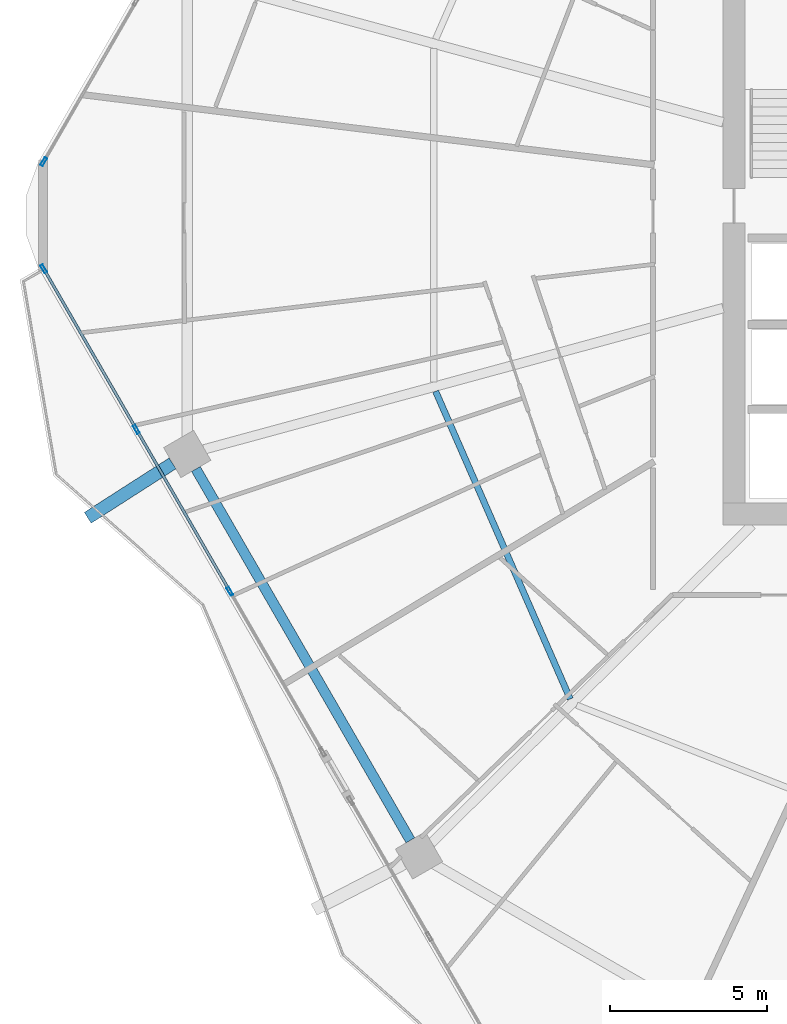
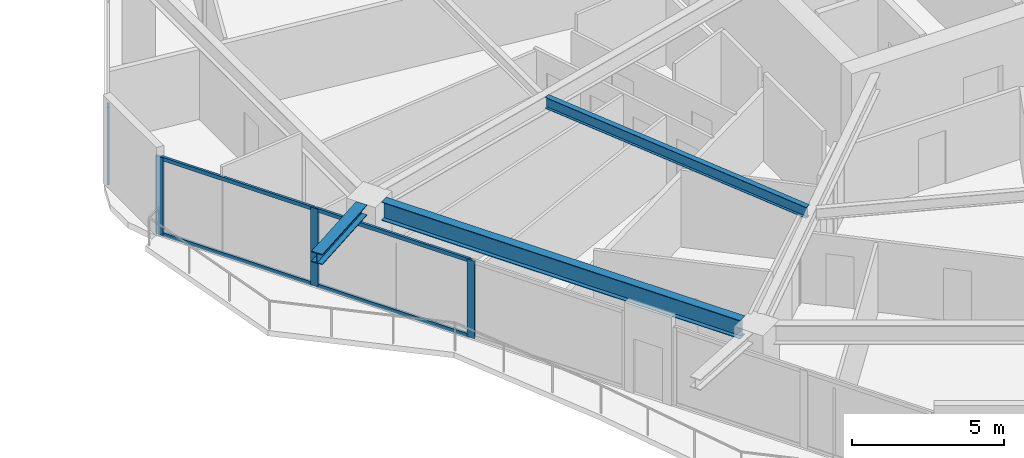
# One storey, part 5 of 32: 8 members, 3 beams, 2 elements without a shape of their own.
"""IFC4 building model written with IfcOpenShell, lengths in metres."""

from ifc_helpers import new_model, si_unit, direction, frame, origin, origin_2d, place, context, subcontext, project, spatial, hollow_rectangle, i_section, extrude, material, material_profile, profile_set, type_object, element, aggregate, save


model = new_model("IFC4")

# Units and contexts
model_context = context("Model", 3, precision=1e-05, world=origin(), true_north=direction((0.0, 1.0)))
body_context = subcontext(model_context, "Body", "Model", "MODEL_VIEW")
ifc_project = project(units=[si_unit("LENGTHUNIT", "METRE"), si_unit("AREAUNIT", "SQUARE_METRE"), si_unit("VOLUMEUNIT", "CUBIC_METRE"), si_unit("PLANEANGLEUNIT", "RADIAN"), si_unit("MASSUNIT", "GRAM", prefix="KILO")], contexts=[model_context])

# Site, building, storey
site_placement = place(None, origin())
site = spatial("IfcSite", under=ifc_project, at=site_placement, CompositionType="ELEMENT")
building_placement = place(site_placement, origin())
building = spatial("IfcBuilding", under=site, at=building_placement, Name="Zuhravey Tower", CompositionType="ELEMENT")
storey_placement = place(building_placement, frame((0.0, 0.0, 111.39990234375)))
storey = spatial("IfcBuildingStorey", under=building, at=storey_placement, Name="L27", CompositionType="ELEMENT", Elevation=111.39990234375)

# Curtain wall, members
ifc_material_1 = material(Name="Thermally broken anodised aluminium", Category="aluminium")
curtain_wall_type = type_object("IfcCurtainWallType", Name="Zone 1-2 Residential Curtain Wall CW3", PredefinedType="NOTDEFINED", material=ifc_material_1)
curtain_wall_1_placement = place(storey_placement, origin())
curtain_wall_1 = element("IfcCurtainWall", 1, at=curtain_wall_1_placement, inside=storey, type_object=curtain_wall_type, Name="L27 CW3 CW-L27-F4-2", PredefinedType="NOTDEFINED")
ifc_material_2 = material(Name="Anodised aluminium", Category="aluminium")
ifc_material_profile_1 = material_profile(ifc_material_2, hollow_rectangle(XDim=0.090087890625, YDim=0.284912109375, WallThickness=0.0048828125, at=origin_2d()), Name="ALU-RHS-90x285x5")
ifc_profile_set_1 = profile_set([ifc_material_profile_1], Name="Anodised aluminium")
member_type_1 = type_object("IfcMemberType", Name="Curtain-Wall Mullion 90x180", PredefinedType="MULLION", material=ifc_profile_set_1)
member_1_placement = place(storey_placement, frame((9.46728515625, 20.0390625, 0.0), z_axis=(0.0, 0.0, 1.0), x_axis=(-0.86602584763, -0.499999231236, 0.0)))
member_1 = element("IfcMember", 2, at=member_1_placement, type_object=member_type_1, Name="CW3 mullion 2", PredefinedType="MULLION", context=body_context, shape_type="SweptSolid", body=[
    extrude(hollow_rectangle(XDim=0.090087890625, YDim=0.284912109375, WallThickness=0.0048828125, at=origin_2d()), origin(), (0.0, 0.0, 1.0), 3.1220703125),
])
member_2_placement = place(storey_placement, frame((6.494384765625, 25.188232421875, 0.0), z_axis=(0.0, 0.0, 1.0), x_axis=(-0.86602584763, -0.499999231236, 0.0)))
member_2 = element("IfcMember", 3, at=member_2_placement, type_object=member_type_1, Name="CW3 mullion 3", PredefinedType="MULLION", context=body_context, shape_type="SweptSolid", body=[
    extrude(hollow_rectangle(XDim=0.090087890625, YDim=0.284912109375, WallThickness=0.0048828125, at=origin_2d()), origin(), (0.0, 0.0, 1.0), 3.1220703125),
])
member_3_placement = place(storey_placement, frame((3.5439453125, 30.298583984375, 0.0), z_axis=(0.0, 0.0, 1.0), x_axis=(-0.86602584763, -0.499999231236, 0.0)))
member_3 = element("IfcMember", 4, at=member_3_placement, type_object=member_type_1, Name="CW3 mullion 4", PredefinedType="MULLION", context=body_context, shape_type="SweptSolid", body=[
    extrude(hollow_rectangle(XDim=0.090087890625, YDim=0.284912109375, WallThickness=0.0048828125, at=origin_2d()), origin(), (0.0, 0.0, 1.0), 3.1220703125),
])

# Curtain wall, member
curtain_wall_2_placement = place(storey_placement, origin())
curtain_wall_2 = element("IfcCurtainWall", 5, at=curtain_wall_2_placement, inside=storey, type_object=curtain_wall_type, Name="L27 CW3 CW-L27-F3-1", PredefinedType="NOTDEFINED")
member_4_placement = place(storey_placement, frame((3.5439453125, 33.701416015625, 0.0), z_axis=(0.0, 0.0, 1.0), x_axis=(-0.86602552265, 0.499999794119, 0.0)))
member_4 = element("IfcMember", 6, at=member_4_placement, type_object=member_type_1, Name="CW3 mullion 1", PredefinedType="MULLION", context=body_context, shape_type="SweptSolid", body=[
    extrude(hollow_rectangle(XDim=0.090087890625, YDim=0.284912109375, WallThickness=0.0048828125, at=origin_2d()), origin(), (0.0, 0.0, 1.0), 3.1220703125),
])
aggregate(curtain_wall_2, [member_4])

# Member
ifc_material_profile_2 = material_profile(ifc_material_2, hollow_rectangle(XDim=0.090087890625, YDim=0.14990234375, WallThickness=0.0048828125, at=origin_2d()), Name="ALU-RHS-90x150x5")
ifc_profile_set_2 = profile_set([ifc_material_profile_2], Name="Anodised aluminium")
member_type_2 = type_object("IfcMemberType", Name="Curtain-Wall Transom 90x150", PredefinedType="USERDEFINED", material=ifc_profile_set_2)
member_5_placement = place(storey_placement, frame((9.44482421875, 20.078125, 0.045166015625), z_axis=(-0.500008761751, 0.866020345126, 0.0), x_axis=(-0.866020345126, -0.500008761751, 0.0)))
member_5 = element("IfcMember", 7, at=member_5_placement, type_object=member_type_2, Name="CW3 transom 2.1", ObjectType="TRANSOM", PredefinedType="USERDEFINED", context=body_context, shape_type="SweptSolid", body=[
    extrude(hollow_rectangle(XDim=0.090087890625, YDim=0.14990234375, WallThickness=0.0048828125, at=origin_2d()), origin(), (0.0, 0.0, 1.0), 5.85595703125),
])

member_6_placement = place(storey_placement, frame((9.44482421875, 20.078125, 3.0771484375), z_axis=(-0.500008761751, 0.866020345126, 0.0), x_axis=(-0.866020345126, -0.500008761751, 0.0)))
member_6 = element("IfcMember", 8, at=member_6_placement, type_object=member_type_2, Name="CW3 transom 2.2", ObjectType="TRANSOM", PredefinedType="USERDEFINED", context=body_context, shape_type="SweptSolid", body=[
    extrude(hollow_rectangle(XDim=0.090087890625, YDim=0.14990234375, WallThickness=0.0048828125, at=origin_2d()), origin(), (0.0, 0.0, 1.0), 5.85595703125),
])

member_7_placement = place(storey_placement, frame((6.471923828125, 25.227294921875, 0.045166015625), z_axis=(-0.500020679168, 0.866013464332, 0.0), x_axis=(-0.866013464332, -0.500020679168, 0.0)))
member_7 = element("IfcMember", 9, at=member_7_placement, type_object=member_type_2, Name="CW3 transom 3.1", ObjectType="TRANSOM", PredefinedType="USERDEFINED", context=body_context, shape_type="SweptSolid", body=[
    extrude(hollow_rectangle(XDim=0.090087890625, YDim=0.14990234375, WallThickness=0.0048828125, at=origin_2d()), origin(), (0.0, 0.0, 1.0), 5.810791015625),
])

member_8_placement = place(storey_placement, frame((6.471923828125, 25.227294921875, 3.0771484375), z_axis=(-0.500020679168, 0.866013464332, 0.0), x_axis=(-0.866013464332, -0.500020679168, 0.0)))
member_8 = element("IfcMember", 10, at=member_8_placement, type_object=member_type_2, Name="CW3 transom 3.2", ObjectType="TRANSOM", PredefinedType="USERDEFINED", context=body_context, shape_type="SweptSolid", body=[
    extrude(hollow_rectangle(XDim=0.090087890625, YDim=0.14990234375, WallThickness=0.0048828125, at=origin_2d()), origin(), (0.0, 0.0, 1.0), 5.810791015625),
])

aggregate(curtain_wall_1, [member_1, member_2, member_3, member_5, member_6, member_7, member_8])

# Beams
ifc_material_3 = material(Name="Steel SM460", Category="steel")
ifc_material_profile_3 = material_profile(ifc_material_3, i_section(OverallWidth=0.406982421875, OverallDepth=0.427978515625, WebThickness=0.02001953125, FlangeThickness=0.034912109375, at=origin_2d()), Name="H-428x407x20x35")
ifc_profile_set_3 = profile_set([ifc_material_profile_3], Name="Steel SM460")
beam_type_1 = type_object("IfcBeamType", Name="Exoskeleton Node Tie Beam H428x407", PredefinedType="BEAM", material=ifc_profile_set_3)
beam_1_placement = place(storey_placement, frame((7.64404296875, 24.10888671875, 3.336181640625), z_axis=(-0.841742425164, -0.539879328812, 0.0), x_axis=(0.539879328812, -0.841742425164, 0.0)))
element("IfcBeam", 11, at=beam_1_placement, inside=storey, type_object=beam_type_1, Name="L27 Exoskeleton Node Tie NT1-07", PredefinedType="BEAM", context=body_context, shape_type="SweptSolid", body=[
    extrude(i_section(OverallWidth=0.406982421875, OverallDepth=0.427978515625, WebThickness=0.02001953125, FlangeThickness=0.034912109375, at=origin_2d()), origin(), (0.0, 0.0, 1.0), 3.204345703125),
])
ifc_material_4 = material(Name="Steel SM355", Category="steel")
ifc_material_profile_4 = material_profile(ifc_material_4, i_section(OverallWidth=0.320068359375, OverallDepth=0.75, WebThickness=0.013916015625, FlangeThickness=0.02490234375, at=origin_2d()), Name="H-750x320x14x25")
ifc_profile_set_4 = profile_set([ifc_material_profile_4], Name="Steel SM355")
beam_type_2 = type_object("IfcBeamType", Name="Perimeter Ring Beam H750x320", PredefinedType="BEAM", material=ifc_profile_set_4)
beam_2_placement = place(storey_placement, frame((8.387451171875, 23.929443359375, 3.175048828125), z_axis=(0.500008177929, -0.866020682204, 0.0), x_axis=(0.866020682204, 0.500008177929, 0.0)))
element("IfcBeam", 12, at=beam_2_placement, inside=storey, type_object=beam_type_2, Name="L27 PB1 BM-L27-PB-07", PredefinedType="BEAM", context=body_context, shape_type="SweptSolid", body=[
    extrude(i_section(OverallWidth=0.320068359375, OverallDepth=0.75, WebThickness=0.013916015625, FlangeThickness=0.02490234375, at=origin_2d()), origin(), (0.0, 0.0, 1.0), 13.634033203125),
])
ifc_material_profile_5 = material_profile(ifc_material_4, i_section(OverallWidth=0.199951171875, OverallDepth=0.449951171875, WebThickness=0.009033203125, FlangeThickness=0.013916015625, at=origin_2d()), Name="H-450x200x9x14")
ifc_profile_set_5 = profile_set([ifc_material_profile_5], Name="Steel SM355")
beam_type_3 = type_object("IfcBeamType", Name="Secondary Floor Joist H450x200", PredefinedType="JOIST", material=ifc_profile_set_5)
beam_3_placement = place(storey_placement, frame((16.00927734375, 26.400390625, 3.3251953125), z_axis=(0.400786454617, -0.916171500209, 0.0), x_axis=(0.916171500209, 0.400786454617, 0.0)))
element("IfcBeam", 13, at=beam_3_placement, inside=storey, type_object=beam_type_3, Name="L27 SJ1 BM-L27-SJ-07-1", PredefinedType="JOIST", context=body_context, shape_type="SweptSolid", body=[
    extrude(i_section(OverallWidth=0.199951171875, OverallDepth=0.449951171875, WebThickness=0.009033203125, FlangeThickness=0.013916015625, at=origin_2d()), origin(), (0.0, 0.0, 1.0), 10.6796875),
])

save(model, "model.ifc")
